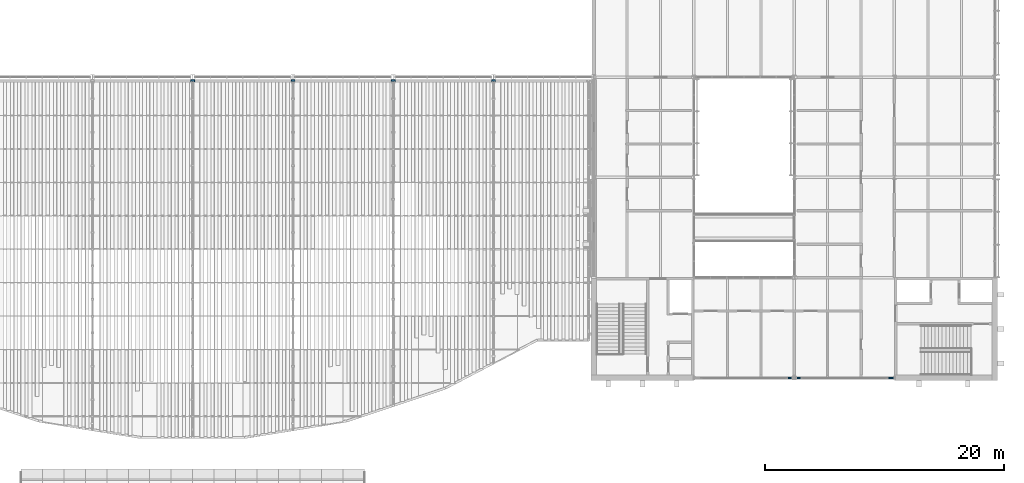
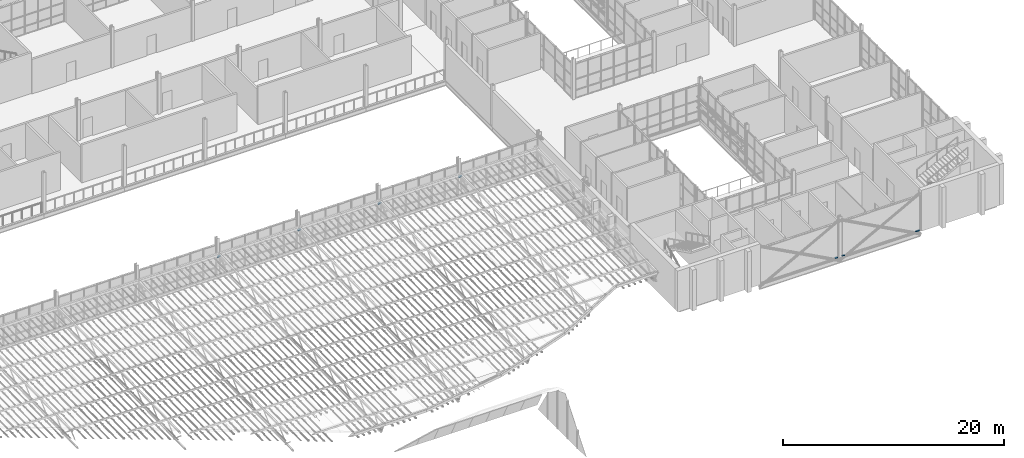
# One storey, part 62 of 129: 7 members, 2 elements without a shape of their own.
"""IFC4 building model written with IfcOpenShell, lengths in metres."""

import ifcopenshell
import ifcopenshell.guid

model = None  # the IFC model being written
_history = None  # IfcOwnerHistory: only IFC2X3 demands one
_inside = {}  # id of a spatial element -> (the spatial element, [elements in it])
_under = {}  # id of a project, library or spatial element -> (it, [spatial elements below it])
_declared = {}  # id of a project -> (the project, [libraries it declares])
_typed = {}  # id of a type object -> (the type object, [elements of that type])
_made_of = {}  # id of a material, layer set ... -> (it, [elements and type objects made of it])


def new_model(schema):
    """Start an empty IFC model of exactly this schema.

    Asked for "IFC4X3", IfcOpenShell would pick the latest addendum, in which some entities
    have other attributes; the version numbers below select the first issue.
    IFC2X3 requires an IfcOwnerHistory on every rooted entity: one is made here for all.
    """
    global model, _history
    if schema == "IFC4X3":
        model = ifcopenshell.file(schema_version=(4, 3, 0, 0))
    else:
        model = ifcopenshell.file(schema=schema)
    _inside.clear()
    _under.clear()
    _declared.clear()
    _typed.clear()
    _made_of.clear()
    _history = None
    if model.schema == "IFC2X3":
        org = make("IfcOrganization", Name="unknown")
        user = make(
            "IfcPersonAndOrganization",
            ThePerson=make("IfcPerson", FamilyName="unknown"),
            TheOrganization=org,
        )
        app = make(
            "IfcApplication",
            ApplicationDeveloper=org,
            Version="unknown",
            ApplicationFullName="unknown",
            ApplicationIdentifier="unknown",
        )
        _history = make(
            "IfcOwnerHistory",
            OwningUser=user,
            OwningApplication=app,
            ChangeAction="ADDED",
            CreationDate=0,
        )
    return model


def make(cls, **values):
    """One entity of the class cls with the attributes given. An attribute that is None is left unset."""
    return model.create_entity(
        cls, **{name: value for name, value in values.items() if value is not None}
    )


def rooted(cls, **values):
    """An entity with a GlobalId (a new one), such as an element, a storey or a relation."""
    return make(cls, GlobalId=ifcopenshell.guid.new(), OwnerHistory=_history, **values)


def si_unit(unit_type, name, prefix=None):
    """IfcSIUnit, for example si_unit("LENGTHUNIT", "METRE", prefix="MILLI")."""
    return make("IfcSIUnit", UnitType=unit_type, Prefix=prefix, Name=name)


def assignment(units):
    """IfcUnitAssignment: the units of a project."""
    return None if units is None else make("IfcUnitAssignment", Units=units)


def point(xyz):
    """IfcCartesianPoint."""
    return None if xyz is None else make("IfcCartesianPoint", Coordinates=xyz)


def direction(xyz):
    """IfcDirection."""
    return None if xyz is None else make("IfcDirection", DirectionRatios=xyz)


def frame(location, z_axis=None, x_axis=None):
    """IfcAxis2Placement3D, a coordinate frame: its origin and axes. An axis left out is left unset."""
    return make(
        "IfcAxis2Placement3D",
        Location=point(location),
        Axis=direction(z_axis),
        RefDirection=direction(x_axis),
    )


def frame_2d(location, x_axis=None):
    """IfcAxis2Placement2D, a coordinate frame in the plane: its origin and x axis."""
    return make(
        "IfcAxis2Placement2D", Location=point(location), RefDirection=direction(x_axis)
    )


def origin():
    """The frame at (0, 0, 0) with its axes left unset."""
    return frame((0.0, 0.0, 0.0))


def origin_2d():
    """The frame at (0, 0) in the plane with its x axis left unset."""
    return frame_2d((0.0, 0.0))


def place(relative_to, where):
    """IfcLocalPlacement: puts the frame where relative to a parent placement (None: the world)."""
    return make(
        "IfcLocalPlacement", PlacementRelTo=relative_to, RelativePlacement=where
    )


def context(
    kind, dimensions, precision=None, world=None, true_north=None, identifier=None
):
    """IfcGeometricRepresentationContext, for example the 3D "Model" context."""
    return make(
        "IfcGeometricRepresentationContext",
        ContextIdentifier=identifier,
        ContextType=kind,
        CoordinateSpaceDimension=dimensions,
        Precision=precision,
        WorldCoordinateSystem=world,
        TrueNorth=true_north,
    )


def subcontext(parent, identifier, kind, view, scale=None):
    """IfcGeometricRepresentationSubContext, for example "Body" below "Model"."""
    return make(
        "IfcGeometricRepresentationSubContext",
        ContextIdentifier=identifier,
        ContextType=kind,
        ParentContext=parent,
        TargetScale=scale,
        TargetView=view,
    )


def project(units=None, contexts=None):
    """IfcProject with its units and contexts."""
    return rooted(
        "IfcProject",
        Name="project",
        RepresentationContexts=contexts,
        UnitsInContext=assignment(units),
    )


def spatial(cls, under=None, at=None, **own):
    """A site, building, storey or space (cls), placed at a placement, below another one or the project."""
    s = rooted(cls, ObjectPlacement=at, **own)
    if under is not None:
        _under.setdefault(under.id(), (under, []))[1].append(s)
    return s


def profile(cls, at=None, kind="AREA", **sizes):
    """A parametric profile (cls). Its sizes go by their IFC names, for example OverallWidth=200.0."""
    return make(cls, ProfileType=kind, Position=at, **sizes)


def rectangle(**sizes):
    """IfcRectangleProfileDef."""
    return profile("IfcRectangleProfileDef", **sizes)


def extrude(swept, where, along, depth):
    """IfcExtrudedAreaSolid: the profile swept, set in the frame where, extruded along a direction by depth."""
    return make(
        "IfcExtrudedAreaSolid",
        SweptArea=swept,
        Position=where,
        ExtrudedDirection=direction(along),
        Depth=depth,
    )


def shape(context_of_items, identifier, shape_type, items):
    """IfcShapeRepresentation: the items that make up one representation, for example the "Body"."""
    return make(
        "IfcShapeRepresentation",
        ContextOfItems=context_of_items,
        RepresentationIdentifier=identifier,
        RepresentationType=shape_type,
        Items=items,
    )


def material(Name=None, Category=None):
    """IfcMaterial."""
    return make("IfcMaterial", Name=Name, Category=Category)


def layer(
    of_material, thickness, ventilated=None, Name=None, Category=None, Priority=None
):
    """IfcMaterialLayer: one layer of a wall or slab, of a material (None: an air gap)."""
    return make(
        "IfcMaterialLayer",
        Material=of_material,
        LayerThickness=thickness,
        IsVentilated=ventilated,
        Name=Name,
        Category=Category,
        Priority=Priority,
    )


def layer_set(layers, Name=None):
    """IfcMaterialLayerSet."""
    return make("IfcMaterialLayerSet", MaterialLayers=layers, LayerSetName=Name)


def material_profile(
    of_material, cross_section, Name=None, Category=None, Priority=None
):
    """IfcMaterialProfile: a cross section and its material."""
    return make(
        "IfcMaterialProfile",
        Name=Name,
        Material=of_material,
        Profile=cross_section,
        Priority=Priority,
        Category=Category,
    )


def profile_set(profiles, Name=None, composite=None):
    """IfcMaterialProfileSet."""
    return make(
        "IfcMaterialProfileSet",
        Name=Name,
        MaterialProfiles=profiles,
        CompositeProfile=composite,
    )


def made_of(thing, what):
    """Note that an element or type object is made of a material, layer set ...; save() writes the relation."""
    if what is not None:
        _made_of.setdefault(what.id(), (what, []))[1].append(thing)
    return thing


def type_object(cls, material=None, **own):
    """A type object (cls), such as IfcWallType, which elements share."""
    return made_of(rooted(cls, **own), material)


def element(
    cls,
    number,
    at=None,
    inside=None,
    cuts=None,
    type_object=None,
    material=None,
    context=None,
    identifier="Body",
    shape_type=None,
    held_by="IfcProductDefinitionShape",
    body=None,
    shapes=None,
    **own,
):
    """One element of the class cls, such as IfcWall. Its Tag is "e" and its number.

    at: its placement. inside: the storey or other place that contains it. cuts: it is an
    opening in that element (IfcRelVoidsElement). A single representation is given by context,
    identifier, shape_type and body (its items); several are given by shapes. held_by: the class
    of the entity that holds the representations. save() writes the other relations.
    """
    e = rooted(cls, Tag="e%d" % number, ObjectPlacement=at, **own)
    if body is not None:
        shapes = [shape(context, identifier, shape_type, body)]
    if shapes is not None:
        e.Representation = make(held_by, Representations=shapes)
    if inside is not None:
        _inside.setdefault(inside.id(), (inside, []))[1].append(e)
    if cuts is not None:
        rooted(
            "IfcRelVoidsElement", RelatingBuildingElement=cuts, RelatedOpeningElement=e
        )
    if type_object is not None:
        _typed.setdefault(type_object.id(), (type_object, []))[1].append(e)
    return made_of(e, material)


def aggregate(whole, parts):
    """IfcRelAggregates: a whole, such as a stair, and the parts it consists of."""
    return rooted("IfcRelAggregates", RelatingObject=whole, RelatedObjects=parts)


def save(model, path):
    """Write the relations noted so far, then the file.

    IfcRelAggregates (storeys below a building ...), IfcRelContainedInSpatialStructure (elements
    in a storey), IfcRelDefinesByType, IfcRelAssociatesMaterial and IfcRelDeclares: one each for
    every whole, place, type object, material and project.
    """
    for whole, parts in _under.values():
        aggregate(whole, parts)
    for where, things in _inside.values():
        rooted(
            "IfcRelContainedInSpatialStructure",
            RelatedElements=things,
            RelatingStructure=where,
        )
    for kind, things in _typed.values():
        rooted("IfcRelDefinesByType", RelatedObjects=things, RelatingType=kind)
    for what, things in _made_of.values():
        rooted("IfcRelAssociatesMaterial", RelatedObjects=things, RelatingMaterial=what)
    for by, libraries in _declared.values():
        rooted("IfcRelDeclares", RelatingContext=by, RelatedDefinitions=libraries)
    model.write(path)


model = new_model("IFC4")

# Units and contexts
model_context = context("Model", 3, precision=1e-05, world=origin(), true_north=direction((0.0, 1.0)))
body_context = subcontext(model_context, "Body", "Model", "MODEL_VIEW")
ifc_project = project(units=[si_unit("LENGTHUNIT", "METRE"), si_unit("AREAUNIT", "SQUARE_METRE"), si_unit("VOLUMEUNIT", "CUBIC_METRE"), si_unit("PLANEANGLEUNIT", "RADIAN"), si_unit("MASSUNIT", "GRAM", prefix="KILO")], contexts=[model_context])

# Site, building, storey
site_placement = place(None, origin())
site = spatial("IfcSite", under=ifc_project, at=site_placement, CompositionType="ELEMENT")
building_placement = place(site_placement, origin())
building = spatial("IfcBuilding", under=site, at=building_placement, Name="Ardhachandra Cancer Care Centre", CompositionType="ELEMENT")
storey_placement = place(building_placement, frame((0.0, 0.0, 4.5)))
storey = spatial("IfcBuildingStorey", under=building, at=storey_placement, Name="L01", CompositionType="ELEMENT", Elevation=4.5)

# Curtain wall, member
ifc_material_1 = material(Name="Aluminium extrusion", Category="aluminium")
ifc_layer = layer(ifc_material_1, 0.14990234375)
ifc_layer_set = layer_set([ifc_layer], Name="Aluminium extrusion")
curtain_wall_type = type_object("IfcCurtainWallType", Name="Curtain wall run", PredefinedType="NOTDEFINED", material=ifc_layer_set)
curtain_wall_1_placement = place(storey_placement, origin())
curtain_wall_1 = element("IfcCurtainWall", 1, at=curtain_wall_1_placement, inside=storey, type_object=curtain_wall_type, Name="Curtain wall L01 s/0120000_0029400", PredefinedType="NOTDEFINED")
ifc_material_2 = material(Name="Aluminium extrusion", Category="aluminium")
ifc_material_profile_1 = material_profile(ifc_material_2, rectangle(XDim=0.1201171875, YDim=0.06005859375, at=origin_2d()), Name="Curtain wall transom 60 x 120")
ifc_profile_set_1 = profile_set([ifc_material_profile_1], Name="Aluminium extrusion")
member_type_1 = type_object("IfcMemberType", Name="Curtain wall transom 60 x 120", PredefinedType="USERDEFINED", material=ifc_profile_set_1)
member_1_placement = place(storey_placement, frame((127.9169921875, 29.39990234375, 0.030029296875), z_axis=(1.0, 0.0, 0.0), x_axis=(0.0, 1.0, 0.0)))
member_1 = element("IfcMember", 2, at=member_1_placement, type_object=member_type_1, Name="CW transom 1.1", ObjectType="TRANSOM", PredefinedType="USERDEFINED", context=body_context, shape_type="SweptSolid", body=[
    extrude(rectangle(XDim=0.1201171875, YDim=0.06005859375, at=origin_2d()), origin(), (0.0, 0.0, 1.0), 0.27294921875),
])
aggregate(curtain_wall_1, [member_1])

# Curtain wall, members
curtain_wall_2_placement = place(storey_placement, origin())
curtain_wall_2 = element("IfcCurtainWall", 3, at=curtain_wall_2_placement, inside=storey, type_object=curtain_wall_type, Name="Curtain wall L01 s/0128400_0029400", PredefinedType="NOTDEFINED")
member_2_placement = place(storey_placement, frame((128.610107421875, 29.39990234375, 0.030029296875), z_axis=(1.0, 0.0, 0.0), x_axis=(0.0, 1.0, 0.0)))
member_2 = element("IfcMember", 4, at=member_2_placement, type_object=member_type_1, Name="CW transom 1.1", ObjectType="TRANSOM", PredefinedType="USERDEFINED", context=body_context, shape_type="SweptSolid", body=[
    extrude(rectangle(XDim=0.1201171875, YDim=0.06005859375, at=origin_2d()), origin(), (0.0, 0.0, 1.0), 0.27294921875),
])
member_3_placement = place(storey_placement, frame((136.31689453125, 29.39990234375, 0.030029296875), z_axis=(1.0, 0.0, 0.0), x_axis=(0.0, 1.0, 0.0)))
member_3 = element("IfcMember", 5, at=member_3_placement, type_object=member_type_1, Name="CW transom 1.1", ObjectType="TRANSOM", PredefinedType="USERDEFINED", context=body_context, shape_type="SweptSolid", body=[
    extrude(rectangle(XDim=0.1201171875, YDim=0.06005859375, at=origin_2d()), origin(), (0.0, 0.0, 1.0), 0.423095703125),
])
aggregate(curtain_wall_2, [member_2, member_3])

# Members
ifc_material_3 = material(Name="Steel E350 (IS 2062)", Category="steel")
ifc_material_profile_2 = material_profile(ifc_material_3, rectangle(XDim=0.300048828125, YDim=0.1201171875, at=origin_2d()), Name="PL 300x120")
ifc_profile_set_2 = profile_set([ifc_material_profile_2], Name="Steel E350 (IS 2062)")
member_type_2 = type_object("IfcMemberType", Name="Eave beam bracket 300x120", PredefinedType="USERDEFINED", material=ifc_profile_set_2)
for number, where, z_axis, x_axis, name in (
    (6, (78.0, 54.22509765625, 2.58544921875), (0.0, 1.0, 0.0), (-1.0, 0.0, 0.0), "Eave beam bracket 5"),
    (7, (86.39990234375, 54.22509765625, 2.58544921875), (0.0, 1.0, 0.0), (-1.0, 0.0, 0.0), "Eave beam bracket 6"),
    (8, (94.800048828125, 54.22509765625, 2.58544921875), (0.0, 1.0, 0.0), (-1.0, 0.0, 0.0), "Eave beam bracket 7"),
    (9, (103.199951171875, 54.22509765625, 2.58544921875), (0.0, 1.0, 0.0), (-1.0, 0.0, 0.0), "Eave beam bracket 8"),
):
    element("IfcMember", number, at=place(storey_placement, frame(where, z_axis=z_axis, x_axis=x_axis)), inside=storey, type_object=member_type_2, Name=name, ObjectType="BRACKET", PredefinedType="USERDEFINED", context=body_context, shape_type="SweptSolid", body=[
        extrude(rectangle(XDim=0.300048828125, YDim=0.1201171875, at=origin_2d()), origin(), (0.0, 0.0, 1.0), 0.14990234375),
    ])

save(model, "model.ifc")
